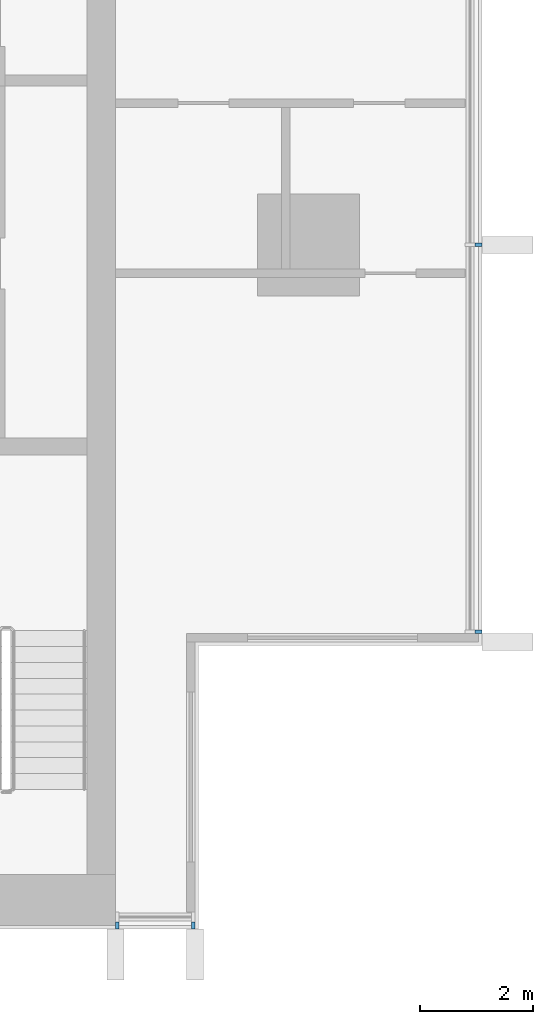
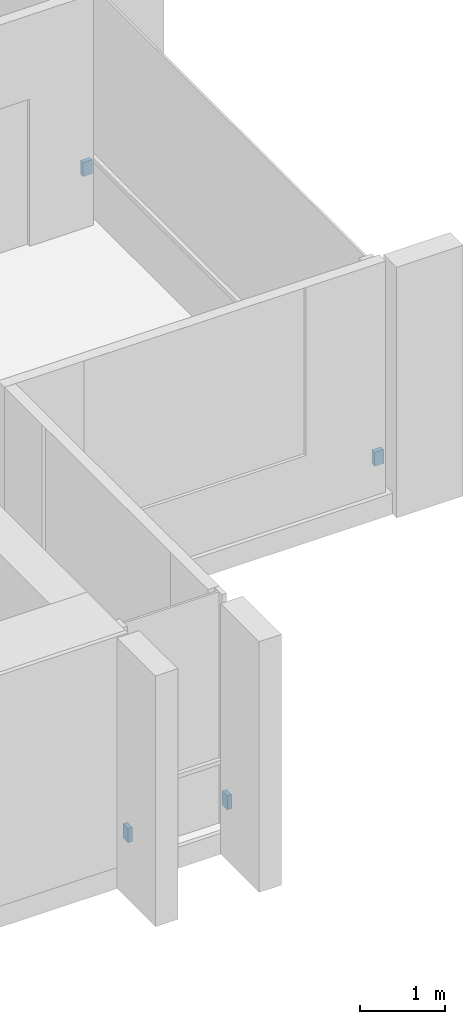
# One storey, part 13 of 16: 4 discrete accessories.
"""IFC4 building model written with IfcOpenShell, lengths in metres."""

from ifc_helpers import new_model, si_unit, direction, frame, origin, origin_2d, place, context, subcontext, project, spatial, rectangle, extrude, material, type_object, element, save


model = new_model("IFC4")

# Units and contexts
model_context = context("Model", 3, precision=1e-05, world=origin(), true_north=direction((0.0, 1.0)))
body_context = subcontext(model_context, "Body", "Model", "MODEL_VIEW")
ifc_project = project(units=[si_unit("LENGTHUNIT", "METRE"), si_unit("AREAUNIT", "SQUARE_METRE"), si_unit("VOLUMEUNIT", "CUBIC_METRE"), si_unit("PLANEANGLEUNIT", "RADIAN"), si_unit("MASSUNIT", "GRAM", prefix="KILO")], contexts=[model_context])

# Site, building, storey
site_placement = place(None, origin())
site = spatial("IfcSite", under=ifc_project, at=site_placement, CompositionType="ELEMENT")
building_placement = place(site_placement, origin())
building = spatial("IfcBuilding", under=site, at=building_placement, Name="Finial Court Residences", CompositionType="ELEMENT")
storey_placement = place(building_placement, frame((0.0, 0.0, 291.5)))
storey = spatial("IfcBuildingStorey", under=building, at=storey_placement, Name="L74", CompositionType="ELEMENT", Elevation=291.5)

# Discrete accessories
ifc_material = material(Name="Stainless steel 316", Category="steel")
discrete_accessory_type = type_object("IfcDiscreteAccessoryType", Name="Fin bracket, stainless steel 60 x 122 x 200", PredefinedType="BRACKET", material=ifc_material)
for number, where, z_axis, x_axis, name in (
    (1, (19.498779296875, -20.320068359375, 0.2998046875), (0.0, 0.0, 1.0), (1.0, 0.0, 0.0), "E-L74-FIN-E7-BRK"),
    (2, (19.498779296875, -13.5, 0.2998046875), (0.0, 0.0, 1.0), (1.0, 0.0, 0.0), "E-L74-FIN-E8-BRK"),
):
    element("IfcDiscreteAccessory", number, at=place(storey_placement, frame(where, z_axis=z_axis, x_axis=x_axis)), inside=storey, type_object=discrete_accessory_type, Name=name, PredefinedType="BRACKET", context=body_context, shape_type="SweptSolid", body=[
        extrude(rectangle(XDim=0.12255859375, YDim=0.06005859375, at=origin_2d()), origin(), (0.0, 0.0, 1.0), 0.199951171875),
    ])
for number, where, z_axis, x_axis, name in (
    (3, (13.1298828125, -25.498779296875, 0.2998046875), (0.0, 0.0, 1.0), (1.0, 0.0, 0.0), "E-L74-FIN-S19-BRK"),
    (4, (14.469970703125, -25.498779296875, 0.2998046875), (0.0, 0.0, 1.0), (1.0, 0.0, 0.0), "E-L74-FIN-S20-BRK"),
):
    element("IfcDiscreteAccessory", number, at=place(storey_placement, frame(where, z_axis=z_axis, x_axis=x_axis)), inside=storey, type_object=discrete_accessory_type, Name=name, PredefinedType="BRACKET", context=body_context, shape_type="SweptSolid", body=[
        extrude(rectangle(XDim=0.06005859375, YDim=0.12255859375, at=origin_2d()), origin(), (0.0, 0.0, 1.0), 0.199951171875),
    ])

save(model, "model.ifc")
